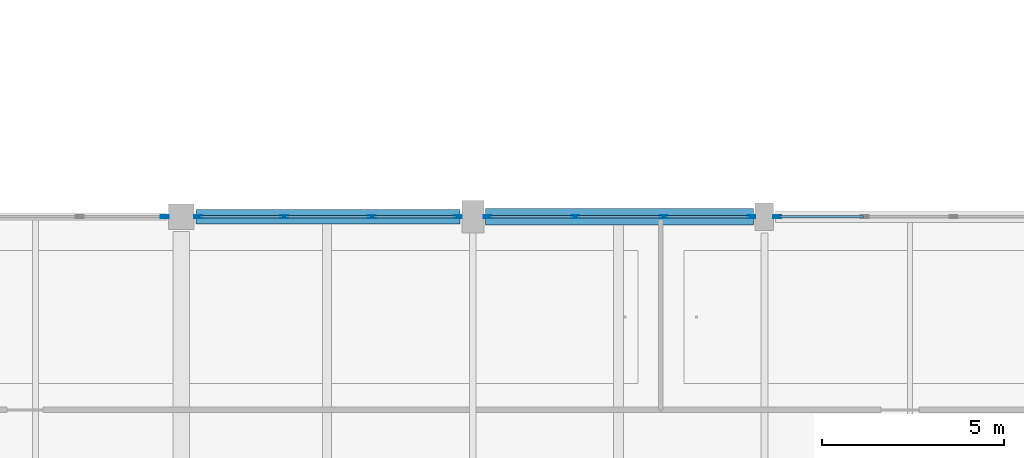
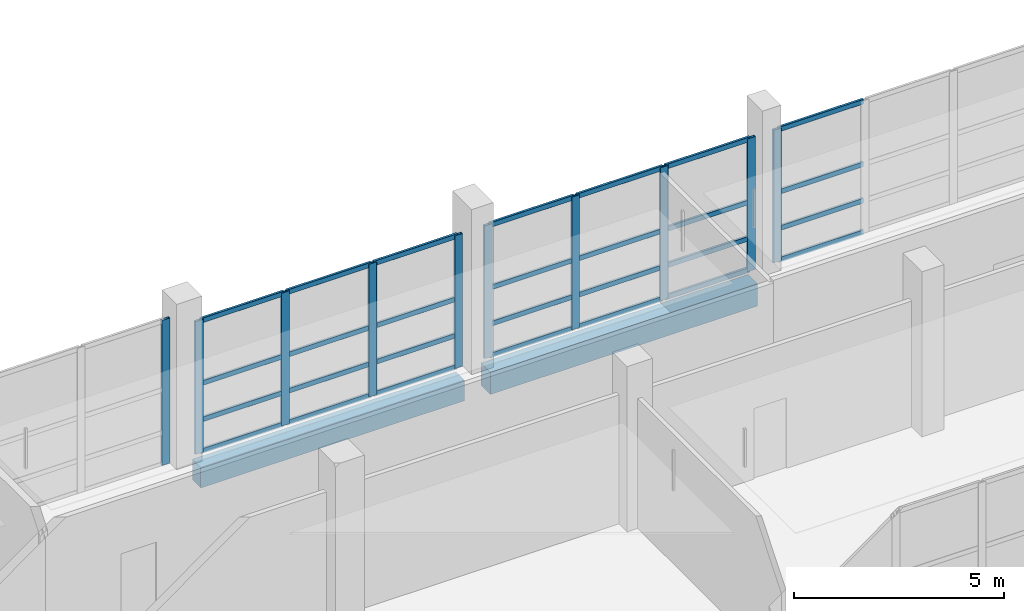
# One storey, part 35 of 141: 38 members, 2 beams, 4 elements without a shape of their own.
"""IFC4 building model written with IfcOpenShell, lengths in metres."""

from ifc_helpers import new_model, si_unit, direction, frame, origin, origin_2d, place, context, subcontext, project, spatial, rectangle, hollow_rectangle, extrude, material, material_profile, profile_set, type_object, element, aggregate, save


model = new_model("IFC4")

# Units and contexts
model_context = context("Model", 3, precision=1e-05, world=origin(), true_north=direction((0.0, 1.0)))
body_context = subcontext(model_context, "Body", "Model", "MODEL_VIEW")
ifc_project = project(units=[si_unit("LENGTHUNIT", "METRE"), si_unit("AREAUNIT", "SQUARE_METRE"), si_unit("VOLUMEUNIT", "CUBIC_METRE"), si_unit("PLANEANGLEUNIT", "RADIAN"), si_unit("MASSUNIT", "GRAM", prefix="KILO")], contexts=[model_context])

# Site, building, storey
site_placement = place(None, origin())
site = spatial("IfcSite", under=ifc_project, at=site_placement, CompositionType="ELEMENT")
building_placement = place(site_placement, origin())
building = spatial("IfcBuilding", under=site, at=building_placement, Name="Khelvaren Railside Concert Hall", CompositionType="ELEMENT")
storey_placement = place(building_placement, frame((0.0, 0.0, 10.199951171875)))
storey = spatial("IfcBuildingStorey", under=building, at=storey_placement, Name="L02", CompositionType="ELEMENT", Elevation=10.199951171875)

# Curtain wall, member
ifc_material_1 = material(Name="Double-glazed clear foyer glass", Category="glass")
curtain_wall_type_1 = type_object("IfcCurtainWallType", Name="CW68", PredefinedType="USERDEFINED", material=ifc_material_1)
curtain_wall_1_placement = place(storey_placement, origin())
curtain_wall_1 = element("IfcCurtainWall", 1, at=curtain_wall_1_placement, inside=storey, type_object=curtain_wall_type_1, Name="Unitised Curtain Wall CW-V3-L02-N-88", ObjectType="UNITISED CURTAIN WALL", PredefinedType="USERDEFINED")
ifc_material_2 = material(Name="Anodised architectural aluminium 6063-T6", Category="aluminium")
ifc_material_profile_1 = material_profile(ifc_material_2, hollow_rectangle(XDim=0.074951171875, YDim=0.219970703125, WallThickness=0.0048828125, InnerFilletRadius=0.0029296875, OuterFilletRadius=0.0048828125, at=origin_2d()), Name="CWM 75x220x5")
ifc_profile_set_1 = profile_set([ifc_material_profile_1], Name="Anodised architectural aluminium 6063-T6")
member_type_1 = type_object("IfcMemberType", Name="CWM13", PredefinedType="MULLION", material=ifc_profile_set_1)
member_1_placement = place(storey_placement, frame((95.5400390625, 15.199951171875, 0.0), z_axis=(0.0, 0.0, 1.0), x_axis=(0.0, 1.0, 0.0)))
member_1 = element("IfcMember", 2, at=member_1_placement, type_object=member_type_1, Name="CW68 mullion 4", PredefinedType="MULLION", context=body_context, shape_type="SweptSolid", body=[
    extrude(hollow_rectangle(XDim=0.074951171875, YDim=0.219970703125, WallThickness=0.0048828125, InnerFilletRadius=0.0029296875, OuterFilletRadius=0.0048828125, at=origin_2d()), origin(), (0.0, 0.0, 1.0), 4.219970703125),
])
aggregate(curtain_wall_1, [member_1])

# Curtain wall, members
curtain_wall_type_2 = type_object("IfcCurtainWallType", Name="CW70", PredefinedType="USERDEFINED", material=ifc_material_1)
curtain_wall_2_placement = place(storey_placement, origin())
curtain_wall_2 = element("IfcCurtainWall", 3, at=curtain_wall_2_placement, inside=storey, type_object=curtain_wall_type_2, Name="Unitised Curtain Wall CW-V3-L02-N-96", ObjectType="UNITISED CURTAIN WALL", PredefinedType="USERDEFINED")
member_2_placement = place(storey_placement, frame((96.4599609375, 15.199951171875, 0.0), z_axis=(0.0, 0.0, 1.0), x_axis=(0.0, 1.0, 0.0)))
member_2 = element("IfcMember", 4, at=member_2_placement, type_object=member_type_1, Name="CW70 mullion 1", PredefinedType="MULLION", context=body_context, shape_type="SweptSolid", body=[
    extrude(hollow_rectangle(XDim=0.074951171875, YDim=0.219970703125, WallThickness=0.0048828125, InnerFilletRadius=0.0029296875, OuterFilletRadius=0.0048828125, at=origin_2d()), origin(), (0.0, 0.0, 1.0), 3.860107421875),
])
member_3_placement = place(storey_placement, frame((98.82421875, 15.199951171875, 0.0), z_axis=(0.0, 0.0, 1.0), x_axis=(0.0, 1.0, 0.0)))
member_3 = element("IfcMember", 5, at=member_3_placement, type_object=member_type_1, Name="CW70 mullion 2", PredefinedType="MULLION", context=body_context, shape_type="SweptSolid", body=[
    extrude(hollow_rectangle(XDim=0.074951171875, YDim=0.219970703125, WallThickness=0.0048828125, InnerFilletRadius=0.0029296875, OuterFilletRadius=0.0048828125, at=origin_2d()), origin(), (0.0, 0.0, 1.0), 3.860107421875),
])
member_4_placement = place(storey_placement, frame((101.225830078125, 15.199951171875, 0.0), z_axis=(0.0, 0.0, 1.0), x_axis=(0.0, 1.0, 0.0)))
member_4 = element("IfcMember", 6, at=member_4_placement, type_object=member_type_1, Name="CW70 mullion 3", PredefinedType="MULLION", context=body_context, shape_type="SweptSolid", body=[
    extrude(hollow_rectangle(XDim=0.074951171875, YDim=0.219970703125, WallThickness=0.0048828125, InnerFilletRadius=0.0029296875, OuterFilletRadius=0.0048828125, at=origin_2d()), origin(), (0.0, 0.0, 1.0), 3.860107421875),
])
member_5_placement = place(storey_placement, frame((103.590087890625, 15.199951171875, 0.0), z_axis=(0.0, 0.0, 1.0), x_axis=(0.0, 1.0, 0.0)))
member_5 = element("IfcMember", 7, at=member_5_placement, type_object=member_type_1, Name="CW70 mullion 4", PredefinedType="MULLION", context=body_context, shape_type="SweptSolid", body=[
    extrude(hollow_rectangle(XDim=0.074951171875, YDim=0.219970703125, WallThickness=0.0048828125, InnerFilletRadius=0.0029296875, OuterFilletRadius=0.0048828125, at=origin_2d()), origin(), (0.0, 0.0, 1.0), 3.860107421875),
])

curtain_wall_type_3 = type_object("IfcCurtainWallType", Name="CW83", PredefinedType="USERDEFINED", material=ifc_material_1)
curtain_wall_3_placement = place(storey_placement, origin())
curtain_wall_3 = element("IfcCurtainWall", 8, at=curtain_wall_3_placement, inside=storey, type_object=curtain_wall_type_3, Name="Unitised Curtain Wall CW-V3-L02-N-104", ObjectType="UNITISED CURTAIN WALL", PredefinedType="USERDEFINED")
member_6_placement = place(storey_placement, frame((104.409912109375, 15.199951171875, 0.0), z_axis=(0.0, 0.0, 1.0), x_axis=(0.0, 1.0, 0.0)))
member_6 = element("IfcMember", 9, at=member_6_placement, type_object=member_type_1, Name="CW83 mullion 1", PredefinedType="MULLION", context=body_context, shape_type="SweptSolid", body=[
    extrude(hollow_rectangle(XDim=0.074951171875, YDim=0.219970703125, WallThickness=0.0048828125, InnerFilletRadius=0.0029296875, OuterFilletRadius=0.0048828125, at=origin_2d()), origin(), (0.0, 0.0, 1.0), 3.860107421875),
])
member_7_placement = place(storey_placement, frame((106.8076171875, 15.199951171875, 0.0), z_axis=(0.0, 0.0, 1.0), x_axis=(0.0, 1.0, 0.0)))
member_7 = element("IfcMember", 10, at=member_7_placement, type_object=member_type_1, Name="CW83 mullion 2", PredefinedType="MULLION", context=body_context, shape_type="SweptSolid", body=[
    extrude(hollow_rectangle(XDim=0.074951171875, YDim=0.219970703125, WallThickness=0.0048828125, InnerFilletRadius=0.0029296875, OuterFilletRadius=0.0048828125, at=origin_2d()), origin(), (0.0, 0.0, 1.0), 3.860107421875),
])
member_8_placement = place(storey_placement, frame((109.242431640625, 15.199951171875, 0.0), z_axis=(0.0, 0.0, 1.0), x_axis=(0.0, 1.0, 0.0)))
member_8 = element("IfcMember", 11, at=member_8_placement, type_object=member_type_1, Name="CW83 mullion 3", PredefinedType="MULLION", context=body_context, shape_type="SweptSolid", body=[
    extrude(hollow_rectangle(XDim=0.074951171875, YDim=0.219970703125, WallThickness=0.0048828125, InnerFilletRadius=0.0029296875, OuterFilletRadius=0.0048828125, at=origin_2d()), origin(), (0.0, 0.0, 1.0), 3.860107421875),
])
member_9_placement = place(storey_placement, frame((111.639892578125, 15.199951171875, 0.0), z_axis=(0.0, 0.0, 1.0), x_axis=(0.0, 1.0, 0.0)))
member_9 = element("IfcMember", 12, at=member_9_placement, type_object=member_type_1, Name="CW83 mullion 4", PredefinedType="MULLION", context=body_context, shape_type="SweptSolid", body=[
    extrude(hollow_rectangle(XDim=0.074951171875, YDim=0.219970703125, WallThickness=0.0048828125, InnerFilletRadius=0.0029296875, OuterFilletRadius=0.0048828125, at=origin_2d()), origin(), (0.0, 0.0, 1.0), 3.860107421875),
])

# Curtain wall, member
curtain_wall_type_4 = type_object("IfcCurtainWallType", Name="CW64", PredefinedType="USERDEFINED", material=ifc_material_1)
curtain_wall_4_placement = place(storey_placement, origin())
curtain_wall_4 = element("IfcCurtainWall", 13, at=curtain_wall_4_placement, inside=storey, type_object=curtain_wall_type_4, Name="Unitised Curtain Wall CW-V3-L02-N-112", ObjectType="UNITISED CURTAIN WALL", PredefinedType="USERDEFINED")
member_10_placement = place(storey_placement, frame((112.360107421875, 15.199951171875, 0.0), z_axis=(0.0, 0.0, 1.0), x_axis=(0.0, 1.0, 0.0)))
member_10 = element("IfcMember", 14, at=member_10_placement, type_object=member_type_1, Name="CW64 mullion 1", PredefinedType="MULLION", context=body_context, shape_type="SweptSolid", body=[
    extrude(hollow_rectangle(XDim=0.074951171875, YDim=0.219970703125, WallThickness=0.0048828125, InnerFilletRadius=0.0029296875, OuterFilletRadius=0.0048828125, at=origin_2d()), origin(), (0.0, 0.0, 1.0), 3.860107421875),
])

# Member
ifc_material_profile_2 = material_profile(ifc_material_2, hollow_rectangle(XDim=0.06494140625, YDim=0.139892578125, WallThickness=0.00390625, InnerFilletRadius=0.001953125, OuterFilletRadius=0.00390625, at=origin_2d()), Name="CWT 65x140x4")
ifc_profile_set_2 = profile_set([ifc_material_profile_2], Name="Anodised architectural aluminium 6063-T6")
member_type_2 = type_object("IfcMemberType", Name="CWT72", PredefinedType="USERDEFINED", material=ifc_profile_set_2)
member_11_placement = place(storey_placement, frame((96.49755859375, 15.199951171875, 0.032470703125), z_axis=(1.0, 0.0, 0.0), x_axis=(0.0, 1.0, 0.0)))
member_11 = element("IfcMember", 15, at=member_11_placement, type_object=member_type_2, Name="CW70 transom 1.1", ObjectType="TRANSOM", PredefinedType="USERDEFINED", context=body_context, shape_type="SweptSolid", body=[
    extrude(hollow_rectangle(XDim=0.06494140625, YDim=0.139892578125, WallThickness=0.00390625, InnerFilletRadius=0.001953125, OuterFilletRadius=0.00390625, at=origin_2d()), origin(), (0.0, 0.0, 1.0), 2.2890625),
])

member_12_placement = place(storey_placement, frame((96.49755859375, 15.199951171875, 0.949951171875), z_axis=(1.0, 0.0, 0.0), x_axis=(0.0, 1.0, 0.0)))
member_12 = element("IfcMember", 16, at=member_12_placement, type_object=member_type_2, Name="CW70 transom 1.2", ObjectType="TRANSOM", PredefinedType="USERDEFINED", context=body_context, shape_type="SweptSolid", body=[
    extrude(hollow_rectangle(XDim=0.06494140625, YDim=0.139892578125, WallThickness=0.00390625, InnerFilletRadius=0.001953125, OuterFilletRadius=0.00390625, at=origin_2d()), origin(), (0.0, 0.0, 1.0), 2.2890625),
])

member_13_placement = place(storey_placement, frame((96.49755859375, 15.199951171875, 2.00732421875), z_axis=(1.0, 0.0, 0.0), x_axis=(0.0, 1.0, 0.0)))
member_13 = element("IfcMember", 17, at=member_13_placement, type_object=member_type_2, Name="CW70 transom 1.3", ObjectType="TRANSOM", PredefinedType="USERDEFINED", context=body_context, shape_type="SweptSolid", body=[
    extrude(hollow_rectangle(XDim=0.06494140625, YDim=0.139892578125, WallThickness=0.00390625, InnerFilletRadius=0.001953125, OuterFilletRadius=0.00390625, at=origin_2d()), origin(), (0.0, 0.0, 1.0), 2.2890625),
])

member_14_placement = place(storey_placement, frame((96.49755859375, 15.199951171875, 3.82763671875), z_axis=(1.0, 0.0, 0.0), x_axis=(0.0, 1.0, 0.0)))
member_14 = element("IfcMember", 18, at=member_14_placement, type_object=member_type_2, Name="CW70 transom 1.4", ObjectType="TRANSOM", PredefinedType="USERDEFINED", context=body_context, shape_type="SweptSolid", body=[
    extrude(hollow_rectangle(XDim=0.06494140625, YDim=0.139892578125, WallThickness=0.00390625, InnerFilletRadius=0.001953125, OuterFilletRadius=0.00390625, at=origin_2d()), origin(), (0.0, 0.0, 1.0), 2.2890625),
])

member_15_placement = place(storey_placement, frame((98.861572265625, 15.199951171875, 0.032470703125), z_axis=(1.0, 0.0, 0.0), x_axis=(0.0, 1.0, 0.0)))
member_15 = element("IfcMember", 19, at=member_15_placement, type_object=member_type_2, Name="CW70 transom 2.1", ObjectType="TRANSOM", PredefinedType="USERDEFINED", context=body_context, shape_type="SweptSolid", body=[
    extrude(hollow_rectangle(XDim=0.06494140625, YDim=0.139892578125, WallThickness=0.00390625, InnerFilletRadius=0.001953125, OuterFilletRadius=0.00390625, at=origin_2d()), origin(), (0.0, 0.0, 1.0), 2.32666015625),
])

member_16_placement = place(storey_placement, frame((98.861572265625, 15.199951171875, 0.949951171875), z_axis=(1.0, 0.0, 0.0), x_axis=(0.0, 1.0, 0.0)))
member_16 = element("IfcMember", 20, at=member_16_placement, type_object=member_type_2, Name="CW70 transom 2.2", ObjectType="TRANSOM", PredefinedType="USERDEFINED", context=body_context, shape_type="SweptSolid", body=[
    extrude(hollow_rectangle(XDim=0.06494140625, YDim=0.139892578125, WallThickness=0.00390625, InnerFilletRadius=0.001953125, OuterFilletRadius=0.00390625, at=origin_2d()), origin(), (0.0, 0.0, 1.0), 2.32666015625),
])

member_17_placement = place(storey_placement, frame((98.861572265625, 15.199951171875, 2.00732421875), z_axis=(1.0, 0.0, 0.0), x_axis=(0.0, 1.0, 0.0)))
member_17 = element("IfcMember", 21, at=member_17_placement, type_object=member_type_2, Name="CW70 transom 2.3", ObjectType="TRANSOM", PredefinedType="USERDEFINED", context=body_context, shape_type="SweptSolid", body=[
    extrude(hollow_rectangle(XDim=0.06494140625, YDim=0.139892578125, WallThickness=0.00390625, InnerFilletRadius=0.001953125, OuterFilletRadius=0.00390625, at=origin_2d()), origin(), (0.0, 0.0, 1.0), 2.32666015625),
])

member_18_placement = place(storey_placement, frame((98.861572265625, 15.199951171875, 3.82763671875), z_axis=(1.0, 0.0, 0.0), x_axis=(0.0, 1.0, 0.0)))
member_18 = element("IfcMember", 22, at=member_18_placement, type_object=member_type_2, Name="CW70 transom 2.4", ObjectType="TRANSOM", PredefinedType="USERDEFINED", context=body_context, shape_type="SweptSolid", body=[
    extrude(hollow_rectangle(XDim=0.06494140625, YDim=0.139892578125, WallThickness=0.00390625, InnerFilletRadius=0.001953125, OuterFilletRadius=0.00390625, at=origin_2d()), origin(), (0.0, 0.0, 1.0), 2.32666015625),
])

member_19_placement = place(storey_placement, frame((101.263427734375, 15.199951171875, 0.032470703125), z_axis=(1.0, 0.0, 0.0), x_axis=(0.0, 1.0, 0.0)))
member_19 = element("IfcMember", 23, at=member_19_placement, type_object=member_type_2, Name="CW70 transom 3.1", ObjectType="TRANSOM", PredefinedType="USERDEFINED", context=body_context, shape_type="SweptSolid", body=[
    extrude(hollow_rectangle(XDim=0.06494140625, YDim=0.139892578125, WallThickness=0.00390625, InnerFilletRadius=0.001953125, OuterFilletRadius=0.00390625, at=origin_2d()), origin(), (0.0, 0.0, 1.0), 2.2890625),
])

member_20_placement = place(storey_placement, frame((101.263427734375, 15.199951171875, 0.949951171875), z_axis=(1.0, 0.0, 0.0), x_axis=(0.0, 1.0, 0.0)))
member_20 = element("IfcMember", 24, at=member_20_placement, type_object=member_type_2, Name="CW70 transom 3.2", ObjectType="TRANSOM", PredefinedType="USERDEFINED", context=body_context, shape_type="SweptSolid", body=[
    extrude(hollow_rectangle(XDim=0.06494140625, YDim=0.139892578125, WallThickness=0.00390625, InnerFilletRadius=0.001953125, OuterFilletRadius=0.00390625, at=origin_2d()), origin(), (0.0, 0.0, 1.0), 2.2890625),
])

member_21_placement = place(storey_placement, frame((101.263427734375, 15.199951171875, 2.00732421875), z_axis=(1.0, 0.0, 0.0), x_axis=(0.0, 1.0, 0.0)))
member_21 = element("IfcMember", 25, at=member_21_placement, type_object=member_type_2, Name="CW70 transom 3.3", ObjectType="TRANSOM", PredefinedType="USERDEFINED", context=body_context, shape_type="SweptSolid", body=[
    extrude(hollow_rectangle(XDim=0.06494140625, YDim=0.139892578125, WallThickness=0.00390625, InnerFilletRadius=0.001953125, OuterFilletRadius=0.00390625, at=origin_2d()), origin(), (0.0, 0.0, 1.0), 2.2890625),
])

member_22_placement = place(storey_placement, frame((101.263427734375, 15.199951171875, 3.82763671875), z_axis=(1.0, 0.0, 0.0), x_axis=(0.0, 1.0, 0.0)))
member_22 = element("IfcMember", 26, at=member_22_placement, type_object=member_type_2, Name="CW70 transom 3.4", ObjectType="TRANSOM", PredefinedType="USERDEFINED", context=body_context, shape_type="SweptSolid", body=[
    extrude(hollow_rectangle(XDim=0.06494140625, YDim=0.139892578125, WallThickness=0.00390625, InnerFilletRadius=0.001953125, OuterFilletRadius=0.00390625, at=origin_2d()), origin(), (0.0, 0.0, 1.0), 2.2890625),
])

aggregate(curtain_wall_2, [member_2, member_3, member_4, member_5, member_11, member_12, member_13, member_14, member_15, member_16, member_17, member_18, member_19, member_20, member_21, member_22])

member_23_placement = place(storey_placement, frame((104.447509765625, 15.199951171875, 0.032470703125), z_axis=(1.0, 0.0, 0.0), x_axis=(0.0, 1.0, 0.0)))
member_23 = element("IfcMember", 27, at=member_23_placement, type_object=member_type_2, Name="CW83 transom 1.1", ObjectType="TRANSOM", PredefinedType="USERDEFINED", context=body_context, shape_type="SweptSolid", body=[
    extrude(hollow_rectangle(XDim=0.06494140625, YDim=0.139892578125, WallThickness=0.00390625, InnerFilletRadius=0.001953125, OuterFilletRadius=0.00390625, at=origin_2d()), origin(), (0.0, 0.0, 1.0), 2.322509765625),
])

member_24_placement = place(storey_placement, frame((104.447509765625, 15.199951171875, 0.949951171875), z_axis=(1.0, 0.0, 0.0), x_axis=(0.0, 1.0, 0.0)))
member_24 = element("IfcMember", 28, at=member_24_placement, type_object=member_type_2, Name="CW83 transom 1.2", ObjectType="TRANSOM", PredefinedType="USERDEFINED", context=body_context, shape_type="SweptSolid", body=[
    extrude(hollow_rectangle(XDim=0.06494140625, YDim=0.139892578125, WallThickness=0.00390625, InnerFilletRadius=0.001953125, OuterFilletRadius=0.00390625, at=origin_2d()), origin(), (0.0, 0.0, 1.0), 2.322509765625),
])

member_25_placement = place(storey_placement, frame((104.447509765625, 15.199951171875, 2.00732421875), z_axis=(1.0, 0.0, 0.0), x_axis=(0.0, 1.0, 0.0)))
member_25 = element("IfcMember", 29, at=member_25_placement, type_object=member_type_2, Name="CW83 transom 1.3", ObjectType="TRANSOM", PredefinedType="USERDEFINED", context=body_context, shape_type="SweptSolid", body=[
    extrude(hollow_rectangle(XDim=0.06494140625, YDim=0.139892578125, WallThickness=0.00390625, InnerFilletRadius=0.001953125, OuterFilletRadius=0.00390625, at=origin_2d()), origin(), (0.0, 0.0, 1.0), 2.322509765625),
])

member_26_placement = place(storey_placement, frame((104.447509765625, 15.199951171875, 3.82763671875), z_axis=(1.0, 0.0, 0.0), x_axis=(0.0, 1.0, 0.0)))
member_26 = element("IfcMember", 30, at=member_26_placement, type_object=member_type_2, Name="CW83 transom 1.4", ObjectType="TRANSOM", PredefinedType="USERDEFINED", context=body_context, shape_type="SweptSolid", body=[
    extrude(hollow_rectangle(XDim=0.06494140625, YDim=0.139892578125, WallThickness=0.00390625, InnerFilletRadius=0.001953125, OuterFilletRadius=0.00390625, at=origin_2d()), origin(), (0.0, 0.0, 1.0), 2.322509765625),
])

member_27_placement = place(storey_placement, frame((106.844970703125, 15.199951171875, 0.032470703125), z_axis=(1.0, 0.0, 0.0), x_axis=(0.0, 1.0, 0.0)))
member_27 = element("IfcMember", 31, at=member_27_placement, type_object=member_type_2, Name="CW83 transom 2.1", ObjectType="TRANSOM", PredefinedType="USERDEFINED", context=body_context, shape_type="SweptSolid", body=[
    extrude(hollow_rectangle(XDim=0.06494140625, YDim=0.139892578125, WallThickness=0.00390625, InnerFilletRadius=0.001953125, OuterFilletRadius=0.00390625, at=origin_2d()), origin(), (0.0, 0.0, 1.0), 2.360107421875),
])

member_28_placement = place(storey_placement, frame((106.844970703125, 15.199951171875, 0.949951171875), z_axis=(1.0, 0.0, 0.0), x_axis=(0.0, 1.0, 0.0)))
member_28 = element("IfcMember", 32, at=member_28_placement, type_object=member_type_2, Name="CW83 transom 2.2", ObjectType="TRANSOM", PredefinedType="USERDEFINED", context=body_context, shape_type="SweptSolid", body=[
    extrude(hollow_rectangle(XDim=0.06494140625, YDim=0.139892578125, WallThickness=0.00390625, InnerFilletRadius=0.001953125, OuterFilletRadius=0.00390625, at=origin_2d()), origin(), (0.0, 0.0, 1.0), 2.360107421875),
])

member_29_placement = place(storey_placement, frame((106.844970703125, 15.199951171875, 2.00732421875), z_axis=(1.0, 0.0, 0.0), x_axis=(0.0, 1.0, 0.0)))
member_29 = element("IfcMember", 33, at=member_29_placement, type_object=member_type_2, Name="CW83 transom 2.3", ObjectType="TRANSOM", PredefinedType="USERDEFINED", context=body_context, shape_type="SweptSolid", body=[
    extrude(hollow_rectangle(XDim=0.06494140625, YDim=0.139892578125, WallThickness=0.00390625, InnerFilletRadius=0.001953125, OuterFilletRadius=0.00390625, at=origin_2d()), origin(), (0.0, 0.0, 1.0), 2.360107421875),
])

member_30_placement = place(storey_placement, frame((106.844970703125, 15.199951171875, 3.82763671875), z_axis=(1.0, 0.0, 0.0), x_axis=(0.0, 1.0, 0.0)))
member_30 = element("IfcMember", 34, at=member_30_placement, type_object=member_type_2, Name="CW83 transom 2.4", ObjectType="TRANSOM", PredefinedType="USERDEFINED", context=body_context, shape_type="SweptSolid", body=[
    extrude(hollow_rectangle(XDim=0.06494140625, YDim=0.139892578125, WallThickness=0.00390625, InnerFilletRadius=0.001953125, OuterFilletRadius=0.00390625, at=origin_2d()), origin(), (0.0, 0.0, 1.0), 2.360107421875),
])

member_31_placement = place(storey_placement, frame((109.280029296875, 15.199951171875, 0.032470703125), z_axis=(1.0, 0.0, 0.0), x_axis=(0.0, 1.0, 0.0)))
member_31 = element("IfcMember", 35, at=member_31_placement, type_object=member_type_2, Name="CW83 transom 3.1", ObjectType="TRANSOM", PredefinedType="USERDEFINED", context=body_context, shape_type="SweptSolid", body=[
    extrude(hollow_rectangle(XDim=0.06494140625, YDim=0.139892578125, WallThickness=0.00390625, InnerFilletRadius=0.001953125, OuterFilletRadius=0.00390625, at=origin_2d()), origin(), (0.0, 0.0, 1.0), 2.322509765625),
])

member_32_placement = place(storey_placement, frame((109.280029296875, 15.199951171875, 0.949951171875), z_axis=(1.0, 0.0, 0.0), x_axis=(0.0, 1.0, 0.0)))
member_32 = element("IfcMember", 36, at=member_32_placement, type_object=member_type_2, Name="CW83 transom 3.2", ObjectType="TRANSOM", PredefinedType="USERDEFINED", context=body_context, shape_type="SweptSolid", body=[
    extrude(hollow_rectangle(XDim=0.06494140625, YDim=0.139892578125, WallThickness=0.00390625, InnerFilletRadius=0.001953125, OuterFilletRadius=0.00390625, at=origin_2d()), origin(), (0.0, 0.0, 1.0), 2.322509765625),
])

member_33_placement = place(storey_placement, frame((109.280029296875, 15.199951171875, 2.00732421875), z_axis=(1.0, 0.0, 0.0), x_axis=(0.0, 1.0, 0.0)))
member_33 = element("IfcMember", 37, at=member_33_placement, type_object=member_type_2, Name="CW83 transom 3.3", ObjectType="TRANSOM", PredefinedType="USERDEFINED", context=body_context, shape_type="SweptSolid", body=[
    extrude(hollow_rectangle(XDim=0.06494140625, YDim=0.139892578125, WallThickness=0.00390625, InnerFilletRadius=0.001953125, OuterFilletRadius=0.00390625, at=origin_2d()), origin(), (0.0, 0.0, 1.0), 2.322509765625),
])

member_34_placement = place(storey_placement, frame((109.280029296875, 15.199951171875, 3.82763671875), z_axis=(1.0, 0.0, 0.0), x_axis=(0.0, 1.0, 0.0)))
member_34 = element("IfcMember", 38, at=member_34_placement, type_object=member_type_2, Name="CW83 transom 3.4", ObjectType="TRANSOM", PredefinedType="USERDEFINED", context=body_context, shape_type="SweptSolid", body=[
    extrude(hollow_rectangle(XDim=0.06494140625, YDim=0.139892578125, WallThickness=0.00390625, InnerFilletRadius=0.001953125, OuterFilletRadius=0.00390625, at=origin_2d()), origin(), (0.0, 0.0, 1.0), 2.322509765625),
])

aggregate(curtain_wall_3, [member_6, member_7, member_8, member_9, member_23, member_24, member_25, member_26, member_27, member_28, member_29, member_30, member_31, member_32, member_33, member_34])

member_35_placement = place(storey_placement, frame((112.3974609375, 15.199951171875, 0.032470703125), z_axis=(1.0, 0.0, 0.0), x_axis=(0.0, 1.0, 0.0)))
member_35 = element("IfcMember", 39, at=member_35_placement, type_object=member_type_2, Name="CW64 transom 1.1", ObjectType="TRANSOM", PredefinedType="USERDEFINED", context=body_context, shape_type="SweptSolid", body=[
    extrude(hollow_rectangle(XDim=0.06494140625, YDim=0.139892578125, WallThickness=0.00390625, InnerFilletRadius=0.001953125, OuterFilletRadius=0.00390625, at=origin_2d()), origin(), (0.0, 0.0, 1.0), 2.322509765625),
])

member_36_placement = place(storey_placement, frame((112.3974609375, 15.199951171875, 0.949951171875), z_axis=(1.0, 0.0, 0.0), x_axis=(0.0, 1.0, 0.0)))
member_36 = element("IfcMember", 40, at=member_36_placement, type_object=member_type_2, Name="CW64 transom 1.2", ObjectType="TRANSOM", PredefinedType="USERDEFINED", context=body_context, shape_type="SweptSolid", body=[
    extrude(hollow_rectangle(XDim=0.06494140625, YDim=0.139892578125, WallThickness=0.00390625, InnerFilletRadius=0.001953125, OuterFilletRadius=0.00390625, at=origin_2d()), origin(), (0.0, 0.0, 1.0), 2.322509765625),
])

member_37_placement = place(storey_placement, frame((112.3974609375, 15.199951171875, 2.00732421875), z_axis=(1.0, 0.0, 0.0), x_axis=(0.0, 1.0, 0.0)))
member_37 = element("IfcMember", 41, at=member_37_placement, type_object=member_type_2, Name="CW64 transom 1.3", ObjectType="TRANSOM", PredefinedType="USERDEFINED", context=body_context, shape_type="SweptSolid", body=[
    extrude(hollow_rectangle(XDim=0.06494140625, YDim=0.139892578125, WallThickness=0.00390625, InnerFilletRadius=0.001953125, OuterFilletRadius=0.00390625, at=origin_2d()), origin(), (0.0, 0.0, 1.0), 2.322509765625),
])

member_38_placement = place(storey_placement, frame((112.3974609375, 15.199951171875, 3.82763671875), z_axis=(1.0, 0.0, 0.0), x_axis=(0.0, 1.0, 0.0)))
member_38 = element("IfcMember", 42, at=member_38_placement, type_object=member_type_2, Name="CW64 transom 1.4", ObjectType="TRANSOM", PredefinedType="USERDEFINED", context=body_context, shape_type="SweptSolid", body=[
    extrude(hollow_rectangle(XDim=0.06494140625, YDim=0.139892578125, WallThickness=0.00390625, InnerFilletRadius=0.001953125, OuterFilletRadius=0.00390625, at=origin_2d()), origin(), (0.0, 0.0, 1.0), 2.322509765625),
])

aggregate(curtain_wall_4, [member_10, member_35, member_36, member_37, member_38])

# Beams
ifc_material_3 = material(Name="Concrete C40/50", Category="concrete")
ifc_material_profile_3 = material_profile(ifc_material_3, rectangle(XDim=0.449951171875, YDim=0.64990234375, at=origin_2d()), Name="RCB 450x650")
ifc_profile_set_3 = profile_set([ifc_material_profile_3], Name="Concrete C40/50")
beam_type_1 = type_object("IfcBeamType", Name="SP34", PredefinedType="SPANDREL", material=ifc_profile_set_3)
beam_1_placement = place(storey_placement, frame((104.35009765625, 15.199951171875, -0.614990234375), z_axis=(1.0, 0.0, 0.0), x_axis=(0.0, 1.0, 0.0)))
element("IfcBeam", 43, at=beam_1_placement, inside=storey, type_object=beam_type_1, Name="V3 L02 Spandrel X3.6", PredefinedType="SPANDREL", context=body_context, shape_type="SweptSolid", body=[
    extrude(rectangle(XDim=0.449951171875, YDim=0.64990234375, at=origin_2d()), origin(), (0.0, 0.0, 1.0), 7.349853515625),
])
ifc_material_profile_4 = material_profile(ifc_material_3, rectangle(XDim=0.39990234375, YDim=0.60009765625, at=origin_2d()), Name="RCB 400x600")
ifc_profile_set_4 = profile_set([ifc_material_profile_4], Name="Concrete C40/50")
beam_type_2 = type_object("IfcBeamType", Name="SP75", PredefinedType="SPANDREL", material=ifc_profile_set_4)
beam_2_placement = place(storey_placement, frame((96.39990234375, 15.199951171875, -0.58984375), z_axis=(1.0, 0.0, 0.0), x_axis=(0.0, 1.0, 0.0)))
element("IfcBeam", 44, at=beam_2_placement, inside=storey, type_object=beam_type_2, Name="V3 L02 Spandrel X3.5", PredefinedType="SPANDREL", context=body_context, shape_type="SweptSolid", body=[
    extrude(rectangle(XDim=0.39990234375, YDim=0.60009765625, at=origin_2d()), origin(), (0.0, 0.0, 1.0), 7.25),
])

save(model, "model.ifc")
